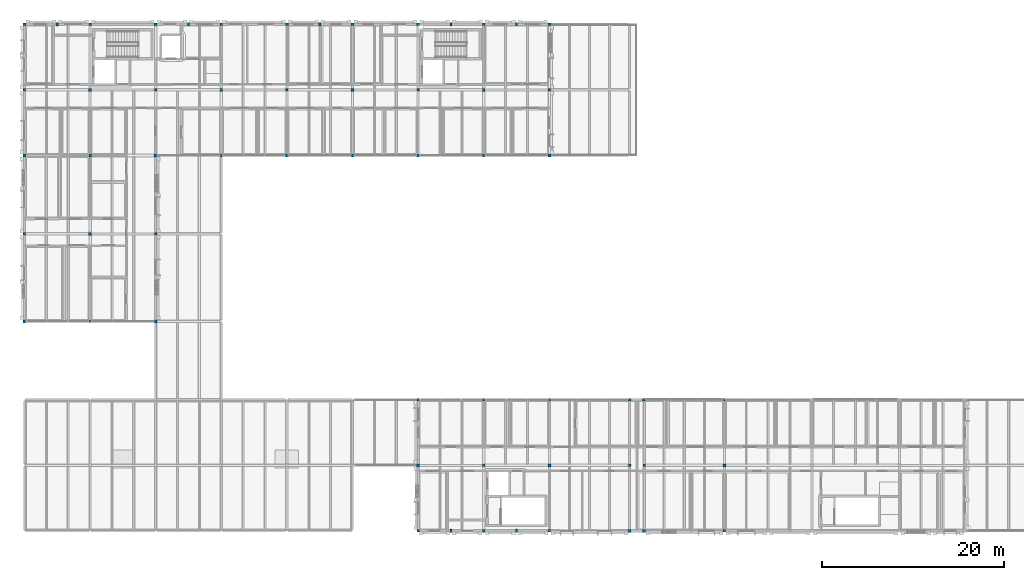
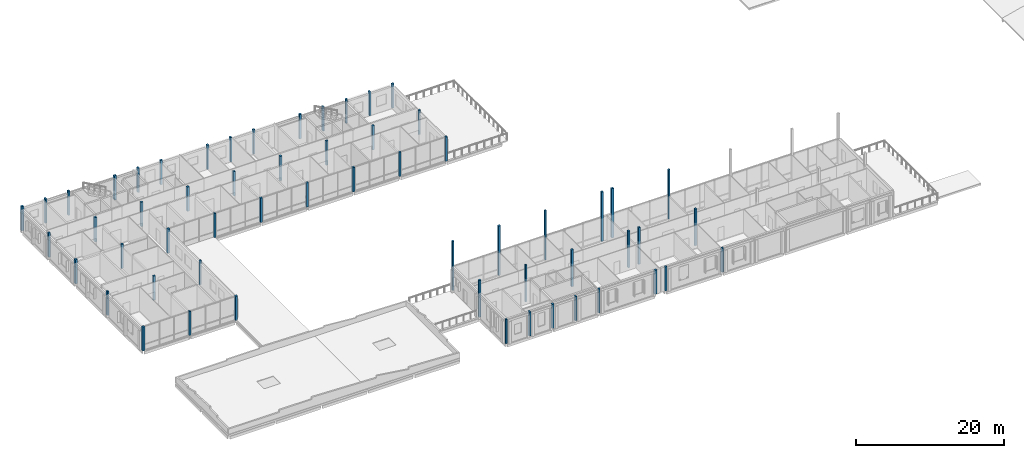
# One storey, part 1 of 57: 58 columns.
"""IFC4 building model written with IfcOpenShell, lengths in metres."""

from ifc_helpers import new_model, si_unit, direction, frame, origin, origin_2d, place, context, subcontext, project, spatial, rectangle, extrude, material, material_profile, profile_set, type_object, element, save


model = new_model("IFC4")

# Units and contexts
model_context = context("Model", 3, precision=1e-05, world=origin(), true_north=direction((0.0, 1.0)))
body_context = subcontext(model_context, "Body", "Model", "MODEL_VIEW")
ifc_project = project(units=[si_unit("LENGTHUNIT", "METRE"), si_unit("AREAUNIT", "SQUARE_METRE"), si_unit("VOLUMEUNIT", "CUBIC_METRE"), si_unit("PLANEANGLEUNIT", "RADIAN"), si_unit("MASSUNIT", "GRAM", prefix="KILO")], contexts=[model_context])

# Site, building, storey
site_placement = place(None, origin())
site = spatial("IfcSite", under=ifc_project, at=site_placement, CompositionType="ELEMENT")
building_placement = place(site_placement, origin())
building = spatial("IfcBuilding", under=site, at=building_placement, Name="Hawrajan Terrace Health Centre", CompositionType="ELEMENT")
storey_placement = place(building_placement, frame((0.0, 0.0, 13.199951171875)))
storey = spatial("IfcBuildingStorey", under=building, at=storey_placement, Name="L03", CompositionType="ELEMENT", Elevation=13.199951171875)

# Columns
ifc_material = material(Name="Glulam GL32h", Category="wood")
ifc_material_profile_1 = material_profile(ifc_material, rectangle(XDim=0.280029296875, YDim=0.280029296875, at=origin_2d()), Name="GL 280x280")
ifc_profile_set_1 = profile_set([ifc_material_profile_1], Name="Glulam GL32h")
column_type_1 = type_object("IfcColumnType", Name="GlulamCol_280x280", PredefinedType="COLUMN", material=ifc_profile_set_1)
column_1_placement = place(storey_placement, frame((72.60009765625, 11.39990234375, 0.0), z_axis=(0.0, 0.0, 1.0), x_axis=(1.0, 0.0, 0.0)))
element("IfcColumn", 1, at=column_1_placement, inside=storey, type_object=column_type_1, Name="Column COL-L03-C-X10-Y2", PredefinedType="COLUMN", context=body_context, shape_type="SweptSolid", body=[
    extrude(rectangle(XDim=0.280029296875, YDim=0.280029296875, at=origin_2d()), origin(), (0.0, 0.0, 1.0), 6.044677734375),
])
column_2_placement = place(storey_placement, frame((81.39990234375, 4.199951171875, 0.0), z_axis=(0.0, 0.0, 1.0), x_axis=(1.0, 0.0, 0.0)))
element("IfcColumn", 2, at=column_2_placement, inside=storey, type_object=column_type_1, Name="Column COL-L03-C-X11-Y1", PredefinedType="COLUMN", context=body_context, shape_type="SweptSolid", body=[
    extrude(rectangle(XDim=0.280029296875, YDim=0.280029296875, at=origin_2d()), origin(), (0.0, 0.0, 1.0), 3.97998046875),
])
column_3_placement = place(storey_placement, frame((81.39990234375, 18.60009765625, 0.0), z_axis=(0.0, 0.0, 1.0), x_axis=(1.0, 0.0, 0.0)))
element("IfcColumn", 3, at=column_3_placement, inside=storey, type_object=column_type_1, Name="Column COL-L03-C-X11-Y3", PredefinedType="COLUMN", context=body_context, shape_type="SweptSolid", body=[
    extrude(rectangle(XDim=0.280029296875, YDim=0.280029296875, at=origin_2d()), origin(), (0.0, 0.0, 1.0), 8.109130859375),
])
column_4_placement = place(storey_placement, frame((4.60009765625, 36.800048828125, 0.0), z_axis=(0.0, 0.0, 1.0), x_axis=(1.0, 0.0, 0.0)))
element("IfcColumn", 4, at=column_4_placement, inside=storey, type_object=column_type_1, Name="Column COL-L03-W-X01-Y5", PredefinedType="COLUMN", context=body_context, shape_type="SweptSolid", body=[
    extrude(rectangle(XDim=0.280029296875, YDim=0.280029296875, at=origin_2d()), origin(), (0.0, 0.0, 1.0), 3.949951171875),
])
column_5_placement = place(storey_placement, frame((4.60009765625, 52.60009765625, 0.0), z_axis=(0.0, 0.0, 1.0), x_axis=(1.0, 0.0, 0.0)))
element("IfcColumn", 5, at=column_5_placement, inside=storey, type_object=column_type_1, Name="Column COL-L03-W-X01-Y7", PredefinedType="COLUMN", context=body_context, shape_type="SweptSolid", body=[
    extrude(rectangle(XDim=0.280029296875, YDim=0.280029296875, at=origin_2d()), origin(), (0.0, 0.0, 1.0), 4.010009765625),
])
column_6_placement = place(storey_placement, frame((11.800048828125, 27.199951171875, 0.0), z_axis=(0.0, 0.0, 1.0), x_axis=(1.0, 0.0, 0.0)))
element("IfcColumn", 6, at=column_6_placement, inside=storey, type_object=column_type_1, Name="Column COL-L03-W-X02-Y4", PredefinedType="COLUMN", context=body_context, shape_type="SweptSolid", body=[
    extrude(rectangle(XDim=0.280029296875, YDim=0.280029296875, at=origin_2d()), origin(), (0.0, 0.0, 1.0), 3.949951171875),
])
column_7_placement = place(storey_placement, frame((11.800048828125, 45.39990234375, 0.0), z_axis=(0.0, 0.0, 1.0), x_axis=(1.0, 0.0, 0.0)))
element("IfcColumn", 7, at=column_7_placement, inside=storey, type_object=column_type_1, Name="Column COL-L03-W-X02-Y6", PredefinedType="COLUMN", context=body_context, shape_type="SweptSolid", body=[
    extrude(rectangle(XDim=0.280029296875, YDim=0.280029296875, at=origin_2d()), origin(), (0.0, 0.0, 1.0), 3.97998046875),
])
column_8_placement = place(storey_placement, frame((11.800048828125, 59.800048828125, 0.0), z_axis=(0.0, 0.0, 1.0), x_axis=(1.0, 0.0, 0.0)))
element("IfcColumn", 8, at=column_8_placement, inside=storey, type_object=column_type_1, Name="Column COL-L03-W-X02-Y8", PredefinedType="COLUMN", context=body_context, shape_type="SweptSolid", body=[
    extrude(rectangle(XDim=0.280029296875, YDim=0.280029296875, at=origin_2d()), origin(), (0.0, 0.0, 1.0), 4.010009765625),
])
column_9_placement = place(storey_placement, frame((19.0, 36.800048828125, 0.0), z_axis=(0.0, 0.0, 1.0), x_axis=(1.0, 0.0, 0.0)))
element("IfcColumn", 9, at=column_9_placement, inside=storey, type_object=column_type_1, Name="Column COL-L03-W-X03-Y5", PredefinedType="COLUMN", context=body_context, shape_type="SweptSolid", body=[
    extrude(rectangle(XDim=0.280029296875, YDim=0.280029296875, at=origin_2d()), origin(), (0.0, 0.0, 1.0), 3.949951171875),
])
for number, where, z_axis, x_axis, name in (
    (10, (19.0, 52.60009765625, 0.0), (0.0, 0.0, 1.0), (1.0, 0.0, 0.0), "Column COL-L03-W-X03-Y7"),
    (11, (26.199951171875, 45.39990234375, 0.0), (0.0, 0.0, 1.0), (1.0, 0.0, 0.0), "Column COL-L03-W-X04-Y6"),
    (12, (26.199951171875, 59.800048828125, 0.0), (0.0, 0.0, 1.0), (1.0, 0.0, 0.0), "Column COL-L03-W-X04-Y8"),
    (13, (33.39990234375, 52.60009765625, 0.0), (0.0, 0.0, 1.0), (1.0, 0.0, 0.0), "Column COL-L03-W-X05-Y7"),
    (14, (40.60009765625, 45.39990234375, 0.0), (0.0, 0.0, 1.0), (1.0, 0.0, 0.0), "Column COL-L03-W-X06-Y6"),
    (15, (40.60009765625, 59.800048828125, 0.0), (0.0, 0.0, 1.0), (1.0, 0.0, 0.0), "Column COL-L03-W-X06-Y8"),
):
    element("IfcColumn", number, at=place(storey_placement, frame(where, z_axis=z_axis, x_axis=x_axis)), inside=storey, type_object=column_type_1, Name=name, PredefinedType="COLUMN", context=body_context, shape_type="SweptSolid", body=[
        extrude(rectangle(XDim=0.280029296875, YDim=0.280029296875, at=origin_2d()), origin(), (0.0, 0.0, 1.0), 4.010009765625),
    ])
column_10_placement = place(storey_placement, frame((47.800048828125, 4.199951171875, 0.0), z_axis=(0.0, 0.0, 1.0), x_axis=(1.0, 0.0, 0.0)))
element("IfcColumn", 16, at=column_10_placement, inside=storey, type_object=column_type_1, Name="Column COL-L03-W-X07-Y1", PredefinedType="COLUMN", context=body_context, shape_type="SweptSolid", body=[
    extrude(rectangle(XDim=0.280029296875, YDim=0.280029296875, at=origin_2d()), origin(), (0.0, 0.0, 1.0), 3.97998046875),
])
column_11_placement = place(storey_placement, frame((47.800048828125, 18.60009765625, 0.0), z_axis=(0.0, 0.0, 1.0), x_axis=(1.0, 0.0, 0.0)))
element("IfcColumn", 17, at=column_11_placement, inside=storey, type_object=column_type_1, Name="Column COL-L03-W-X07-Y3", PredefinedType="COLUMN", context=body_context, shape_type="SweptSolid", body=[
    extrude(rectangle(XDim=0.280029296875, YDim=0.280029296875, at=origin_2d()), origin(), (0.0, 0.0, 1.0), 8.109130859375),
])
column_12_placement = place(storey_placement, frame((47.800048828125, 52.60009765625, 0.0), z_axis=(0.0, 0.0, 1.0), x_axis=(1.0, 0.0, 0.0)))
element("IfcColumn", 18, at=column_12_placement, inside=storey, type_object=column_type_1, Name="Column COL-L03-W-X07-Y7", PredefinedType="COLUMN", context=body_context, shape_type="SweptSolid", body=[
    extrude(rectangle(XDim=0.280029296875, YDim=0.280029296875, at=origin_2d()), origin(), (0.0, 0.0, 1.0), 4.010009765625),
])
column_13_placement = place(storey_placement, frame((55.0, 11.39990234375, 0.0), z_axis=(0.0, 0.0, 1.0), x_axis=(1.0, 0.0, 0.0)))
element("IfcColumn", 19, at=column_13_placement, inside=storey, type_object=column_type_1, Name="Column COL-L03-W-X08-Y2", PredefinedType="COLUMN", context=body_context, shape_type="SweptSolid", body=[
    extrude(rectangle(XDim=0.280029296875, YDim=0.280029296875, at=origin_2d()), origin(), (0.0, 0.0, 1.0), 6.044677734375),
])
for number, where, z_axis, x_axis, name in (
    (20, (55.0, 45.39990234375, 0.0), (0.0, 0.0, 1.0), (1.0, 0.0, 0.0), "Column COL-L03-W-X08-Y6"),
    (21, (55.0, 59.800048828125, 0.0), (0.0, 0.0, 1.0), (1.0, 0.0, 0.0), "Column COL-L03-W-X08-Y8"),
    (22, (62.199951171875, 4.199951171875, 0.0), (0.0, 0.0, 1.0), (1.0, 0.0, 0.0), "Column COL-L03-W-X09-Y1"),
):
    element("IfcColumn", number, at=place(storey_placement, frame(where, z_axis=z_axis, x_axis=x_axis)), inside=storey, type_object=column_type_1, Name=name, PredefinedType="COLUMN", context=body_context, shape_type="SweptSolid", body=[
        extrude(rectangle(XDim=0.280029296875, YDim=0.280029296875, at=origin_2d()), origin(), (0.0, 0.0, 1.0), 3.97998046875),
    ])
column_14_placement = place(storey_placement, frame((62.199951171875, 18.60009765625, 0.0), z_axis=(0.0, 0.0, 1.0), x_axis=(1.0, 0.0, 0.0)))
element("IfcColumn", 23, at=column_14_placement, inside=storey, type_object=column_type_1, Name="Column COL-L03-W-X09-Y3", PredefinedType="COLUMN", context=body_context, shape_type="SweptSolid", body=[
    extrude(rectangle(XDim=0.280029296875, YDim=0.280029296875, at=origin_2d()), origin(), (0.0, 0.0, 1.0), 8.109130859375),
])
column_15_placement = place(storey_placement, frame((62.199951171875, 52.60009765625, 0.0), z_axis=(0.0, 0.0, 1.0), x_axis=(1.0, 0.0, 0.0)))
element("IfcColumn", 24, at=column_15_placement, inside=storey, type_object=column_type_1, Name="Column COL-L03-W-X09-Y7", PredefinedType="COLUMN", context=body_context, shape_type="SweptSolid", body=[
    extrude(rectangle(XDim=0.280029296875, YDim=0.280029296875, at=origin_2d()), origin(), (0.0, 0.0, 1.0), 3.97998046875),
])
column_16_placement = place(storey_placement, frame((71.0, 11.39990234375, 0.0), z_axis=(0.0, 0.0, 1.0), x_axis=(1.0, 0.0, 0.0)))
element("IfcColumn", 25, at=column_16_placement, inside=storey, type_object=column_type_1, Name="Column COL-L03-W-X10-Y2", PredefinedType="COLUMN", context=body_context, shape_type="SweptSolid", body=[
    extrude(rectangle(XDim=0.280029296875, YDim=0.280029296875, at=origin_2d()), origin(), (0.0, 0.0, 1.0), 6.044677734375),
])
ifc_material_profile_2 = material_profile(ifc_material, rectangle(XDim=0.320068359375, YDim=0.320068359375, at=origin_2d()), Name="GL 320x320")
ifc_profile_set_2 = profile_set([ifc_material_profile_2], Name="Glulam GL32h")
column_type_2 = type_object("IfcColumnType", Name="GlulamCol_320x320", PredefinedType="COLUMN", material=ifc_profile_set_2)
column_17_placement = place(storey_placement, frame((72.60009765625, 4.199951171875, 0.0), z_axis=(0.0, 0.0, 1.0), x_axis=(1.0, 0.0, 0.0)))
element("IfcColumn", 26, at=column_17_placement, inside=storey, type_object=column_type_2, Name="Column COL-L03-C-X10-Y1", PredefinedType="COLUMN", context=body_context, shape_type="SweptSolid", body=[
    extrude(rectangle(XDim=0.320068359375, YDim=0.320068359375, at=origin_2d()), origin(), (0.0, 0.0, 1.0), 3.97998046875),
])
column_18_placement = place(storey_placement, frame((72.60009765625, 18.60009765625, 0.0), z_axis=(0.0, 0.0, 1.0), x_axis=(1.0, 0.0, 0.0)))
element("IfcColumn", 27, at=column_18_placement, inside=storey, type_object=column_type_2, Name="Column COL-L03-C-X10-Y3", PredefinedType="COLUMN", context=body_context, shape_type="SweptSolid", body=[
    extrude(rectangle(XDim=0.320068359375, YDim=0.320068359375, at=origin_2d()), origin(), (0.0, 0.0, 1.0), 8.109130859375),
])
column_19_placement = place(storey_placement, frame((81.39990234375, 11.39990234375, 0.0), z_axis=(0.0, 0.0, 1.0), x_axis=(1.0, 0.0, 0.0)))
element("IfcColumn", 28, at=column_19_placement, inside=storey, type_object=column_type_2, Name="Column COL-L03-C-X11-Y2", PredefinedType="COLUMN", context=body_context, shape_type="SweptSolid", body=[
    extrude(rectangle(XDim=0.320068359375, YDim=0.320068359375, at=origin_2d()), origin(), (0.0, 0.0, 1.0), 6.044677734375),
])
column_20_placement = place(storey_placement, frame((4.60009765625, 27.199951171875, 0.0), z_axis=(0.0, 0.0, 1.0), x_axis=(1.0, 0.0, 0.0)))
element("IfcColumn", 29, at=column_20_placement, inside=storey, type_object=column_type_2, Name="Column COL-L03-W-X01-Y4", PredefinedType="COLUMN", context=body_context, shape_type="SweptSolid", body=[
    extrude(rectangle(XDim=0.320068359375, YDim=0.320068359375, at=origin_2d()), origin(), (0.0, 0.0, 1.0), 3.949951171875),
])
column_21_placement = place(storey_placement, frame((4.60009765625, 45.39990234375, 0.0), z_axis=(0.0, 0.0, 1.0), x_axis=(1.0, 0.0, 0.0)))
element("IfcColumn", 30, at=column_21_placement, inside=storey, type_object=column_type_2, Name="Column COL-L03-W-X01-Y6", PredefinedType="COLUMN", context=body_context, shape_type="SweptSolid", body=[
    extrude(rectangle(XDim=0.320068359375, YDim=0.320068359375, at=origin_2d()), origin(), (0.0, 0.0, 1.0), 3.97998046875),
])
column_22_placement = place(storey_placement, frame((4.60009765625, 59.800048828125, 0.0), z_axis=(0.0, 0.0, 1.0), x_axis=(1.0, 0.0, 0.0)))
element("IfcColumn", 31, at=column_22_placement, inside=storey, type_object=column_type_2, Name="Column COL-L03-W-X01-Y8", PredefinedType="COLUMN", context=body_context, shape_type="SweptSolid", body=[
    extrude(rectangle(XDim=0.320068359375, YDim=0.320068359375, at=origin_2d()), origin(), (0.0, 0.0, 1.0), 4.010009765625),
])
column_23_placement = place(storey_placement, frame((11.800048828125, 36.800048828125, 0.0), z_axis=(0.0, 0.0, 1.0), x_axis=(1.0, 0.0, 0.0)))
element("IfcColumn", 32, at=column_23_placement, inside=storey, type_object=column_type_2, Name="Column COL-L03-W-X02-Y5", PredefinedType="COLUMN", context=body_context, shape_type="SweptSolid", body=[
    extrude(rectangle(XDim=0.320068359375, YDim=0.320068359375, at=origin_2d()), origin(), (0.0, 0.0, 1.0), 3.949951171875),
])
column_24_placement = place(storey_placement, frame((11.800048828125, 52.60009765625, 0.0), z_axis=(0.0, 0.0, 1.0), x_axis=(1.0, 0.0, 0.0)))
element("IfcColumn", 33, at=column_24_placement, inside=storey, type_object=column_type_2, Name="Column COL-L03-W-X02-Y7", PredefinedType="COLUMN", context=body_context, shape_type="SweptSolid", body=[
    extrude(rectangle(XDim=0.320068359375, YDim=0.320068359375, at=origin_2d()), origin(), (0.0, 0.0, 1.0), 4.010009765625),
])
column_25_placement = place(storey_placement, frame((19.0, 27.199951171875, 0.0), z_axis=(0.0, 0.0, 1.0), x_axis=(1.0, 0.0, 0.0)))
element("IfcColumn", 34, at=column_25_placement, inside=storey, type_object=column_type_2, Name="Column COL-L03-W-X03-Y4", PredefinedType="COLUMN", context=body_context, shape_type="SweptSolid", body=[
    extrude(rectangle(XDim=0.320068359375, YDim=0.320068359375, at=origin_2d()), origin(), (0.0, 0.0, 1.0), 3.949951171875),
])
column_26_placement = place(storey_placement, frame((19.0, 45.39990234375, 0.0), z_axis=(0.0, 0.0, 1.0), x_axis=(1.0, 0.0, 0.0)))
element("IfcColumn", 35, at=column_26_placement, inside=storey, type_object=column_type_2, Name="Column COL-L03-W-X03-Y6", PredefinedType="COLUMN", context=body_context, shape_type="SweptSolid", body=[
    extrude(rectangle(XDim=0.320068359375, YDim=0.320068359375, at=origin_2d()), origin(), (0.0, 0.0, 1.0), 3.97998046875),
])
for number, where, z_axis, x_axis, name in (
    (36, (19.0, 59.800048828125, 0.0), (0.0, 0.0, 1.0), (1.0, 0.0, 0.0), "Column COL-L03-W-X03-Y8"),
    (37, (26.199951171875, 52.60009765625, 0.0), (0.0, 0.0, 1.0), (1.0, 0.0, 0.0), "Column COL-L03-W-X04-Y7"),
    (38, (33.39990234375, 45.39990234375, 0.0), (0.0, 0.0, 1.0), (1.0, 0.0, 0.0), "Column COL-L03-W-X05-Y6"),
    (39, (33.39990234375, 59.800048828125, 0.0), (0.0, 0.0, 1.0), (1.0, 0.0, 0.0), "Column COL-L03-W-X05-Y8"),
    (40, (40.60009765625, 52.60009765625, 0.0), (0.0, 0.0, 1.0), (1.0, 0.0, 0.0), "Column COL-L03-W-X06-Y7"),
):
    element("IfcColumn", number, at=place(storey_placement, frame(where, z_axis=z_axis, x_axis=x_axis)), inside=storey, type_object=column_type_2, Name=name, PredefinedType="COLUMN", context=body_context, shape_type="SweptSolid", body=[
        extrude(rectangle(XDim=0.320068359375, YDim=0.320068359375, at=origin_2d()), origin(), (0.0, 0.0, 1.0), 4.010009765625),
    ])
column_27_placement = place(storey_placement, frame((47.800048828125, 11.39990234375, 0.0), z_axis=(0.0, 0.0, 1.0), x_axis=(1.0, 0.0, 0.0)))
element("IfcColumn", 41, at=column_27_placement, inside=storey, type_object=column_type_2, Name="Column COL-L03-W-X07-Y2", PredefinedType="COLUMN", context=body_context, shape_type="SweptSolid", body=[
    extrude(rectangle(XDim=0.320068359375, YDim=0.320068359375, at=origin_2d()), origin(), (0.0, 0.0, 1.0), 6.044677734375),
])
for number, where, z_axis, x_axis, name in (
    (42, (47.800048828125, 45.39990234375, 0.0), (0.0, 0.0, 1.0), (1.0, 0.0, 0.0), "Column COL-L03-W-X07-Y6"),
    (43, (47.800048828125, 59.800048828125, 0.0), (0.0, 0.0, 1.0), (1.0, 0.0, 0.0), "Column COL-L03-W-X07-Y8"),
):
    element("IfcColumn", number, at=place(storey_placement, frame(where, z_axis=z_axis, x_axis=x_axis)), inside=storey, type_object=column_type_2, Name=name, PredefinedType="COLUMN", context=body_context, shape_type="SweptSolid", body=[
        extrude(rectangle(XDim=0.320068359375, YDim=0.320068359375, at=origin_2d()), origin(), (0.0, 0.0, 1.0), 4.010009765625),
    ])
column_28_placement = place(storey_placement, frame((55.0, 4.199951171875, 0.0), z_axis=(0.0, 0.0, 1.0), x_axis=(1.0, 0.0, 0.0)))
element("IfcColumn", 44, at=column_28_placement, inside=storey, type_object=column_type_2, Name="Column COL-L03-W-X08-Y1", PredefinedType="COLUMN", context=body_context, shape_type="SweptSolid", body=[
    extrude(rectangle(XDim=0.320068359375, YDim=0.320068359375, at=origin_2d()), origin(), (0.0, 0.0, 1.0), 3.97998046875),
])
column_29_placement = place(storey_placement, frame((55.0, 18.60009765625, 0.0), z_axis=(0.0, 0.0, 1.0), x_axis=(1.0, 0.0, 0.0)))
element("IfcColumn", 45, at=column_29_placement, inside=storey, type_object=column_type_2, Name="Column COL-L03-W-X08-Y3", PredefinedType="COLUMN", context=body_context, shape_type="SweptSolid", body=[
    extrude(rectangle(XDim=0.320068359375, YDim=0.320068359375, at=origin_2d()), origin(), (0.0, 0.0, 1.0), 8.109130859375),
])
column_30_placement = place(storey_placement, frame((55.0, 52.60009765625, 0.0), z_axis=(0.0, 0.0, 1.0), x_axis=(1.0, 0.0, 0.0)))
element("IfcColumn", 46, at=column_30_placement, inside=storey, type_object=column_type_2, Name="Column COL-L03-W-X08-Y7", PredefinedType="COLUMN", context=body_context, shape_type="SweptSolid", body=[
    extrude(rectangle(XDim=0.320068359375, YDim=0.320068359375, at=origin_2d()), origin(), (0.0, 0.0, 1.0), 3.97998046875),
])
column_31_placement = place(storey_placement, frame((62.199951171875, 11.39990234375, 0.0), z_axis=(0.0, 0.0, 1.0), x_axis=(1.0, 0.0, 0.0)))
element("IfcColumn", 47, at=column_31_placement, inside=storey, type_object=column_type_2, Name="Column COL-L03-W-X09-Y2", PredefinedType="COLUMN", context=body_context, shape_type="SweptSolid", body=[
    extrude(rectangle(XDim=0.320068359375, YDim=0.320068359375, at=origin_2d()), origin(), (0.0, 0.0, 1.0), 6.044677734375),
])
for number, where, z_axis, x_axis, name in (
    (48, (62.199951171875, 45.39990234375, 0.0), (0.0, 0.0, 1.0), (1.0, 0.0, 0.0), "Column COL-L03-W-X09-Y6"),
    (49, (62.199951171875, 59.800048828125, 0.0), (0.0, 0.0, 1.0), (1.0, 0.0, 0.0), "Column COL-L03-W-X09-Y8"),
    (50, (71.0, 4.199951171875, 0.0), (0.0, 0.0, 1.0), (1.0, 0.0, 0.0), "Column COL-L03-W-X10-Y1"),
):
    element("IfcColumn", number, at=place(storey_placement, frame(where, z_axis=z_axis, x_axis=x_axis)), inside=storey, type_object=column_type_2, Name=name, PredefinedType="COLUMN", context=body_context, shape_type="SweptSolid", body=[
        extrude(rectangle(XDim=0.320068359375, YDim=0.320068359375, at=origin_2d()), origin(), (0.0, 0.0, 1.0), 3.97998046875),
    ])
column_32_placement = place(storey_placement, frame((71.0, 18.60009765625, 0.0), z_axis=(0.0, 0.0, 1.0), x_axis=(1.0, 0.0, 0.0)))
element("IfcColumn", 51, at=column_32_placement, inside=storey, type_object=column_type_2, Name="Column COL-L03-W-X10-Y3", PredefinedType="COLUMN", context=body_context, shape_type="SweptSolid", body=[
    extrude(rectangle(XDim=0.320068359375, YDim=0.320068359375, at=origin_2d()), origin(), (0.0, 0.0, 1.0), 8.109130859375),
])
ifc_material_profile_3 = material_profile(ifc_material, rectangle(XDim=0.239990234375, YDim=0.3798828125, at=origin_2d()), Name="GL PIL 240x380")
ifc_profile_set_3 = profile_set([ifc_material_profile_3], Name="Glulam GL32h")
column_type_3 = type_object("IfcColumnType", Name="GlulamPilaster_240x380", PredefinedType="PILASTER", material=ifc_profile_set_3)
for number, where, z_axis, x_axis, name in (
    (52, (8.199951171875, 59.800048828125, 0.0), (0.0, 0.0, 1.0), (1.0, 0.0, 0.0), "Art Deco fluted pilaster L03-01-Y8"),
    (53, (22.60009765625, 59.800048828125, 0.0), (0.0, 0.0, 1.0), (1.0, 0.0, 0.0), "Art Deco fluted pilaster L03-03-Y8"),
    (54, (37.0, 59.800048828125, 0.0), (0.0, 0.0, 1.0), (1.0, 0.0, 0.0), "Art Deco fluted pilaster L03-05-Y8"),
):
    element("IfcColumn", number, at=place(storey_placement, frame(where, z_axis=z_axis, x_axis=x_axis)), inside=storey, type_object=column_type_3, Name=name, PredefinedType="PILASTER", context=body_context, shape_type="SweptSolid", body=[
        extrude(rectangle(XDim=0.239990234375, YDim=0.3798828125, at=origin_2d()), origin(), (0.0, 0.0, 1.0), 4.010009765625),
    ])
column_33_placement = place(storey_placement, frame((51.39990234375, 4.199951171875, 0.0), z_axis=(0.0, 0.0, 1.0), x_axis=(1.0, 0.0, 0.0)))
element("IfcColumn", 55, at=column_33_placement, inside=storey, type_object=column_type_3, Name="Art Deco fluted pilaster L03-07-Y1", PredefinedType="PILASTER", context=body_context, shape_type="SweptSolid", body=[
    extrude(rectangle(XDim=0.239990234375, YDim=0.3798828125, at=origin_2d()), origin(), (0.0, 0.0, 1.0), 4.0),
])
column_34_placement = place(storey_placement, frame((51.39990234375, 59.800048828125, 0.0), z_axis=(0.0, 0.0, 1.0), x_axis=(1.0, 0.0, 0.0)))
element("IfcColumn", 56, at=column_34_placement, inside=storey, type_object=column_type_3, Name="Art Deco fluted pilaster L03-07-Y8", PredefinedType="PILASTER", context=body_context, shape_type="SweptSolid", body=[
    extrude(rectangle(XDim=0.239990234375, YDim=0.3798828125, at=origin_2d()), origin(), (0.0, 0.0, 1.0), 4.010009765625),
])
column_35_placement = place(storey_placement, frame((58.60009765625, 4.199951171875, 0.0), z_axis=(0.0, 0.0, 1.0), x_axis=(1.0, 0.0, 0.0)))
element("IfcColumn", 57, at=column_35_placement, inside=storey, type_object=column_type_3, Name="Art Deco fluted pilaster L03-08-Y1", PredefinedType="PILASTER", context=body_context, shape_type="SweptSolid", body=[
    extrude(rectangle(XDim=0.239990234375, YDim=0.3798828125, at=origin_2d()), origin(), (0.0, 0.0, 1.0), 4.0),
])
column_36_placement = place(storey_placement, frame((58.60009765625, 59.800048828125, 0.0), z_axis=(0.0, 0.0, 1.0), x_axis=(1.0, 0.0, 0.0)))
element("IfcColumn", 58, at=column_36_placement, inside=storey, type_object=column_type_3, Name="Art Deco fluted pilaster L03-08-Y8", PredefinedType="PILASTER", context=body_context, shape_type="SweptSolid", body=[
    extrude(rectangle(XDim=0.239990234375, YDim=0.3798828125, at=origin_2d()), origin(), (0.0, 0.0, 1.0), 3.97998046875),
])

save(model, "model.ifc")
